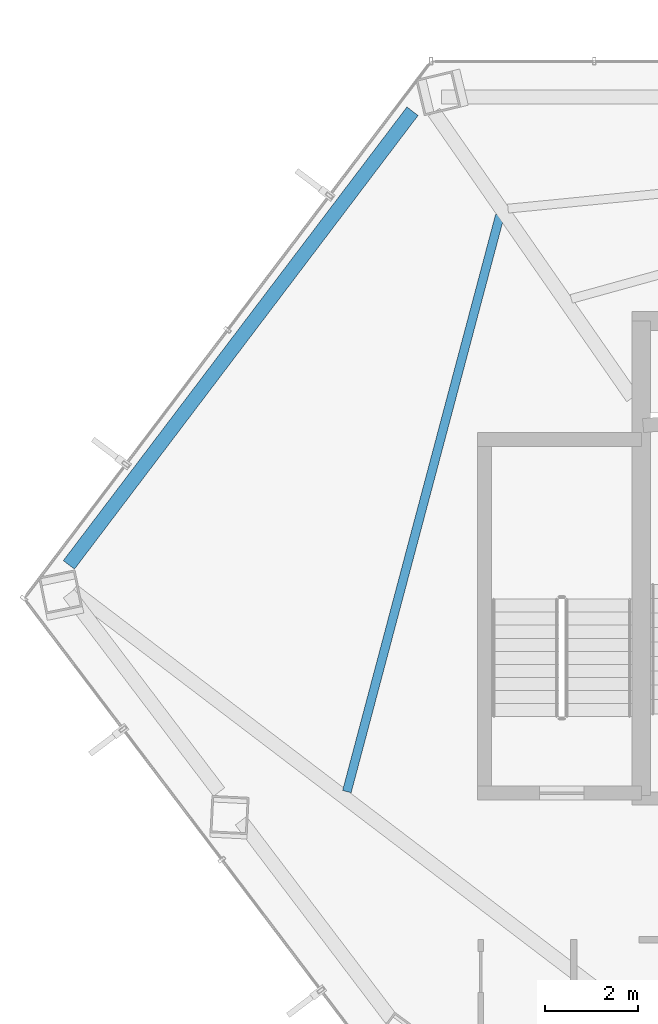
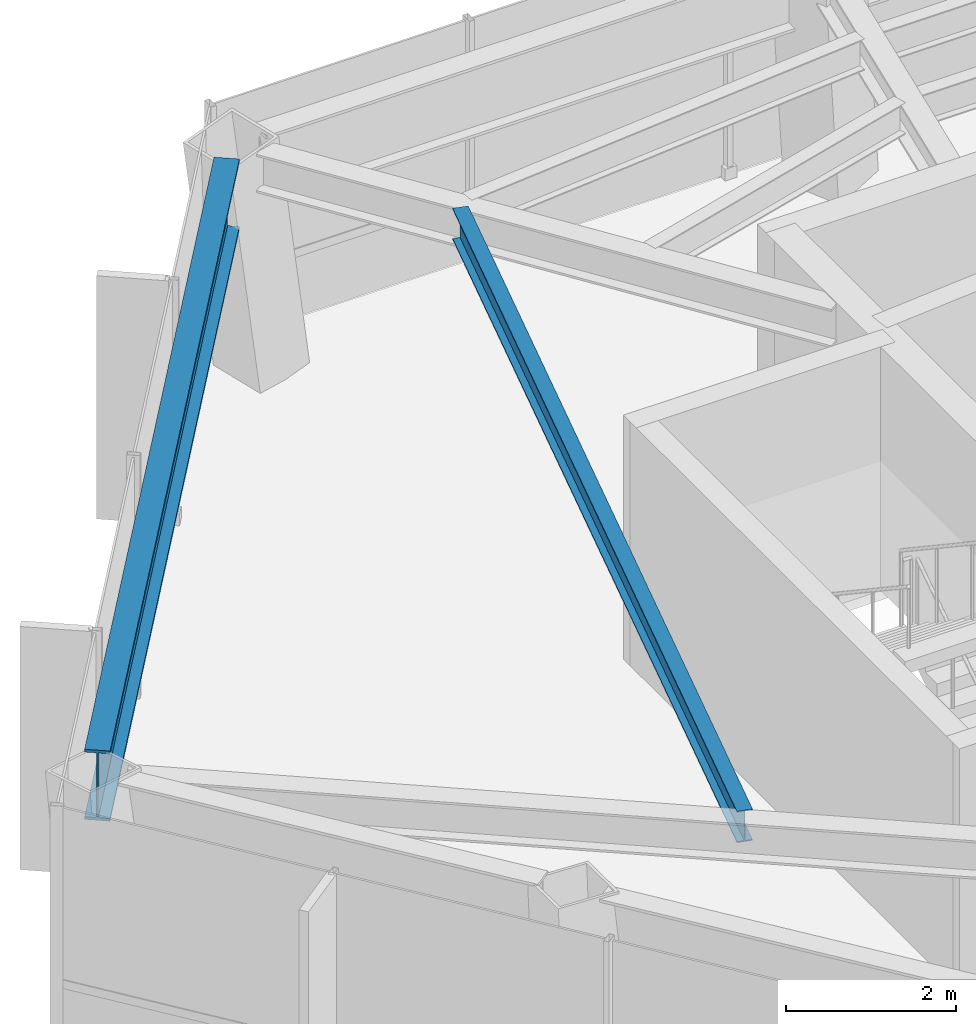
# One storey, part 11 of 28: 2 beams.
"""IFC4 building model written with IfcOpenShell, lengths in metres."""

from ifc_helpers import new_model, si_unit, direction, frame, origin, origin_2d, place, context, subcontext, project, spatial, i_section, extrude, material, material_profile, profile_set, type_object, element, save


model = new_model("IFC4")

# Units and contexts
model_context = context("Model", 3, precision=1e-05, world=origin(), true_north=direction((0.0, 1.0)))
body_context = subcontext(model_context, "Body", "Model", "MODEL_VIEW")
ifc_project = project(units=[si_unit("LENGTHUNIT", "METRE"), si_unit("AREAUNIT", "SQUARE_METRE"), si_unit("VOLUMEUNIT", "CUBIC_METRE"), si_unit("PLANEANGLEUNIT", "RADIAN"), si_unit("MASSUNIT", "GRAM", prefix="KILO")], contexts=[model_context])

# Site, building, storey
site_placement = place(None, origin())
site = spatial("IfcSite", under=ifc_project, at=site_placement, CompositionType="ELEMENT")
building_placement = place(site_placement, origin())
building = spatial("IfcBuilding", under=site, at=building_placement, Name="Zarrinselat Tower", CompositionType="ELEMENT")
storey_placement = place(building_placement, frame((0.0, 0.0, 153.340087890625)))
storey = spatial("IfcBuildingStorey", under=building, at=storey_placement, Name="L37", CompositionType="ELEMENT", Elevation=153.340087890625)

# Beams
ifc_material_1 = material(Name="Steel S460M", Category="steel")
ifc_material_profile_1 = material_profile(ifc_material_1, i_section(OverallWidth=0.302001953125, OverallDepth=1.008056640625, WebThickness=0.02099609375, FlangeThickness=0.0400390625, at=origin_2d()), Name="HEM 1000")
ifc_profile_set_1 = profile_set([ifc_material_profile_1], Name="Steel S460M")
beam_type_1 = type_object("IfcBeamType", Name="BM-HEM1000", PredefinedType="BEAM", material=ifc_profile_set_1)
beam_1_placement = place(storey_placement, frame((16.29736328125, 38.207275390625, 2.98583984375), z_axis=(0.603841164006, 0.797104666058, 0.0), x_axis=(-0.797104666058, 0.603841164006, 0.0)))
element("IfcBeam", 1, at=beam_1_placement, inside=storey, type_object=beam_type_1, Name="L37 Perimeter Spandrel Girder SP05", PredefinedType="BEAM", context=body_context, shape_type="SweptSolid", body=[
    extrude(i_section(OverallWidth=0.302001953125, OverallDepth=1.008056640625, WebThickness=0.02099609375, FlangeThickness=0.0400390625, at=origin_2d()), origin(), (0.0, 0.0, 1.0), 12.232177734375),
])
ifc_material_2 = material(Name="Steel S355J2", Category="steel")
ifc_material_profile_2 = material_profile(ifc_material_2, i_section(OverallWidth=0.18994140625, OverallDepth=0.449951171875, WebThickness=0.009521484375, FlangeThickness=0.0146484375, at=origin_2d()), Name="IPE 450")
ifc_profile_set_2 = profile_set([ifc_material_profile_2], Name="Steel S355J2")
beam_type_2 = type_object("IfcBeamType", Name="BM-IPE450", PredefinedType="JOIST", material=ifc_profile_set_2)
beam_2_placement = place(storey_placement, frame((22.27294921875, 33.334716796875, 3.264892578125), z_axis=(0.256676711842, 0.966497317947, 0.0), x_axis=(-0.966497317947, 0.256676711842, 0.0)))
element("IfcBeam", 2, at=beam_2_placement, inside=storey, type_object=beam_type_2, Name="L37 Composite Floor Joist 9-1", PredefinedType="JOIST", context=body_context, shape_type="SweptSolid", body=[
    extrude(i_section(OverallWidth=0.18994140625, OverallDepth=0.449951171875, WebThickness=0.009521484375, FlangeThickness=0.0146484375, at=origin_2d()), origin(), (0.0, 0.0, 1.0), 12.809326171875),
])

save(model, "model.ifc")
